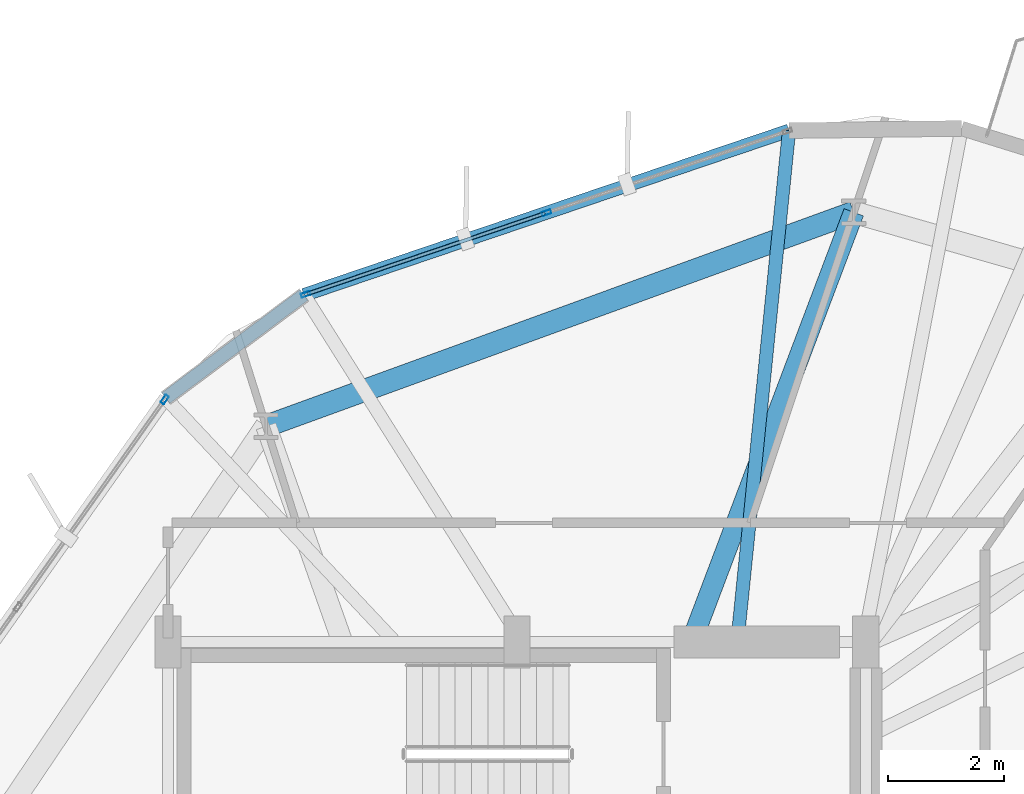
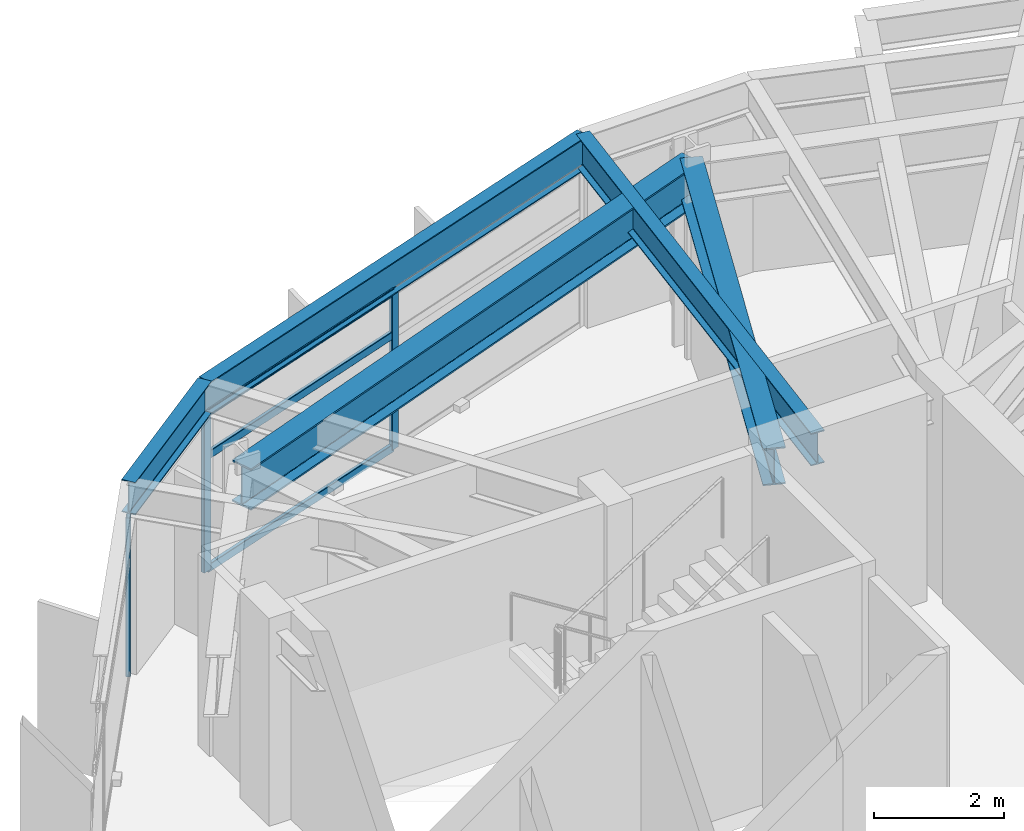
# One storey, part 15 of 25: 6 members, 5 beams, 2 elements without a shape of their own.
"""IFC4 building model written with IfcOpenShell, lengths in metres."""

import ifcopenshell
import ifcopenshell.guid

model = None  # the IFC model being written
_history = None  # IfcOwnerHistory: only IFC2X3 demands one
_inside = {}  # id of a spatial element -> (the spatial element, [elements in it])
_under = {}  # id of a project, library or spatial element -> (it, [spatial elements below it])
_declared = {}  # id of a project -> (the project, [libraries it declares])
_typed = {}  # id of a type object -> (the type object, [elements of that type])
_made_of = {}  # id of a material, layer set ... -> (it, [elements and type objects made of it])


def new_model(schema):
    """Start an empty IFC model of exactly this schema.

    Asked for "IFC4X3", IfcOpenShell would pick the latest addendum, in which some entities
    have other attributes; the version numbers below select the first issue.
    IFC2X3 requires an IfcOwnerHistory on every rooted entity: one is made here for all.
    """
    global model, _history
    if schema == "IFC4X3":
        model = ifcopenshell.file(schema_version=(4, 3, 0, 0))
    else:
        model = ifcopenshell.file(schema=schema)
    _inside.clear()
    _under.clear()
    _declared.clear()
    _typed.clear()
    _made_of.clear()
    _history = None
    if model.schema == "IFC2X3":
        org = make("IfcOrganization", Name="unknown")
        user = make(
            "IfcPersonAndOrganization",
            ThePerson=make("IfcPerson", FamilyName="unknown"),
            TheOrganization=org,
        )
        app = make(
            "IfcApplication",
            ApplicationDeveloper=org,
            Version="unknown",
            ApplicationFullName="unknown",
            ApplicationIdentifier="unknown",
        )
        _history = make(
            "IfcOwnerHistory",
            OwningUser=user,
            OwningApplication=app,
            ChangeAction="ADDED",
            CreationDate=0,
        )
    return model


def make(cls, **values):
    """One entity of the class cls with the attributes given. An attribute that is None is left unset."""
    return model.create_entity(
        cls, **{name: value for name, value in values.items() if value is not None}
    )


def rooted(cls, **values):
    """An entity with a GlobalId (a new one), such as an element, a storey or a relation."""
    return make(cls, GlobalId=ifcopenshell.guid.new(), OwnerHistory=_history, **values)


def si_unit(unit_type, name, prefix=None):
    """IfcSIUnit, for example si_unit("LENGTHUNIT", "METRE", prefix="MILLI")."""
    return make("IfcSIUnit", UnitType=unit_type, Prefix=prefix, Name=name)


def assignment(units):
    """IfcUnitAssignment: the units of a project."""
    return None if units is None else make("IfcUnitAssignment", Units=units)


def point(xyz):
    """IfcCartesianPoint."""
    return None if xyz is None else make("IfcCartesianPoint", Coordinates=xyz)


def direction(xyz):
    """IfcDirection."""
    return None if xyz is None else make("IfcDirection", DirectionRatios=xyz)


def frame(location, z_axis=None, x_axis=None):
    """IfcAxis2Placement3D, a coordinate frame: its origin and axes. An axis left out is left unset."""
    return make(
        "IfcAxis2Placement3D",
        Location=point(location),
        Axis=direction(z_axis),
        RefDirection=direction(x_axis),
    )


def frame_2d(location, x_axis=None):
    """IfcAxis2Placement2D, a coordinate frame in the plane: its origin and x axis."""
    return make(
        "IfcAxis2Placement2D", Location=point(location), RefDirection=direction(x_axis)
    )


def origin():
    """The frame at (0, 0, 0) with its axes left unset."""
    return frame((0.0, 0.0, 0.0))


def origin_2d():
    """The frame at (0, 0) in the plane with its x axis left unset."""
    return frame_2d((0.0, 0.0))


def place(relative_to, where):
    """IfcLocalPlacement: puts the frame where relative to a parent placement (None: the world)."""
    return make(
        "IfcLocalPlacement", PlacementRelTo=relative_to, RelativePlacement=where
    )


def context(
    kind, dimensions, precision=None, world=None, true_north=None, identifier=None
):
    """IfcGeometricRepresentationContext, for example the 3D "Model" context."""
    return make(
        "IfcGeometricRepresentationContext",
        ContextIdentifier=identifier,
        ContextType=kind,
        CoordinateSpaceDimension=dimensions,
        Precision=precision,
        WorldCoordinateSystem=world,
        TrueNorth=true_north,
    )


def subcontext(parent, identifier, kind, view, scale=None):
    """IfcGeometricRepresentationSubContext, for example "Body" below "Model"."""
    return make(
        "IfcGeometricRepresentationSubContext",
        ContextIdentifier=identifier,
        ContextType=kind,
        ParentContext=parent,
        TargetScale=scale,
        TargetView=view,
    )


def project(units=None, contexts=None):
    """IfcProject with its units and contexts."""
    return rooted(
        "IfcProject",
        Name="project",
        RepresentationContexts=contexts,
        UnitsInContext=assignment(units),
    )


def spatial(cls, under=None, at=None, **own):
    """A site, building, storey or space (cls), placed at a placement, below another one or the project."""
    s = rooted(cls, ObjectPlacement=at, **own)
    if under is not None:
        _under.setdefault(under.id(), (under, []))[1].append(s)
    return s


def profile(cls, at=None, kind="AREA", **sizes):
    """A parametric profile (cls). Its sizes go by their IFC names, for example OverallWidth=200.0."""
    return make(cls, ProfileType=kind, Position=at, **sizes)


def hollow_rectangle(**sizes):
    """IfcRectangleHollowProfileDef."""
    return profile("IfcRectangleHollowProfileDef", **sizes)


def i_section(**sizes):
    """IfcIShapeProfileDef."""
    return profile("IfcIShapeProfileDef", **sizes)


def extrude(swept, where, along, depth):
    """IfcExtrudedAreaSolid: the profile swept, set in the frame where, extruded along a direction by depth."""
    return make(
        "IfcExtrudedAreaSolid",
        SweptArea=swept,
        Position=where,
        ExtrudedDirection=direction(along),
        Depth=depth,
    )


def shape(context_of_items, identifier, shape_type, items):
    """IfcShapeRepresentation: the items that make up one representation, for example the "Body"."""
    return make(
        "IfcShapeRepresentation",
        ContextOfItems=context_of_items,
        RepresentationIdentifier=identifier,
        RepresentationType=shape_type,
        Items=items,
    )


def material(Name=None, Category=None):
    """IfcMaterial."""
    return make("IfcMaterial", Name=Name, Category=Category)


def layer(
    of_material, thickness, ventilated=None, Name=None, Category=None, Priority=None
):
    """IfcMaterialLayer: one layer of a wall or slab, of a material (None: an air gap)."""
    return make(
        "IfcMaterialLayer",
        Material=of_material,
        LayerThickness=thickness,
        IsVentilated=ventilated,
        Name=Name,
        Category=Category,
        Priority=Priority,
    )


def layer_set(layers, Name=None):
    """IfcMaterialLayerSet."""
    return make("IfcMaterialLayerSet", MaterialLayers=layers, LayerSetName=Name)


def material_profile(
    of_material, cross_section, Name=None, Category=None, Priority=None
):
    """IfcMaterialProfile: a cross section and its material."""
    return make(
        "IfcMaterialProfile",
        Name=Name,
        Material=of_material,
        Profile=cross_section,
        Priority=Priority,
        Category=Category,
    )


def profile_set(profiles, Name=None, composite=None):
    """IfcMaterialProfileSet."""
    return make(
        "IfcMaterialProfileSet",
        Name=Name,
        MaterialProfiles=profiles,
        CompositeProfile=composite,
    )


def made_of(thing, what):
    """Note that an element or type object is made of a material, layer set ...; save() writes the relation."""
    if what is not None:
        _made_of.setdefault(what.id(), (what, []))[1].append(thing)
    return thing


def type_object(cls, material=None, **own):
    """A type object (cls), such as IfcWallType, which elements share."""
    return made_of(rooted(cls, **own), material)


def element(
    cls,
    number,
    at=None,
    inside=None,
    cuts=None,
    type_object=None,
    material=None,
    context=None,
    identifier="Body",
    shape_type=None,
    held_by="IfcProductDefinitionShape",
    body=None,
    shapes=None,
    **own,
):
    """One element of the class cls, such as IfcWall. Its Tag is "e" and its number.

    at: its placement. inside: the storey or other place that contains it. cuts: it is an
    opening in that element (IfcRelVoidsElement). A single representation is given by context,
    identifier, shape_type and body (its items); several are given by shapes. held_by: the class
    of the entity that holds the representations. save() writes the other relations.
    """
    e = rooted(cls, Tag="e%d" % number, ObjectPlacement=at, **own)
    if body is not None:
        shapes = [shape(context, identifier, shape_type, body)]
    if shapes is not None:
        e.Representation = make(held_by, Representations=shapes)
    if inside is not None:
        _inside.setdefault(inside.id(), (inside, []))[1].append(e)
    if cuts is not None:
        rooted(
            "IfcRelVoidsElement", RelatingBuildingElement=cuts, RelatedOpeningElement=e
        )
    if type_object is not None:
        _typed.setdefault(type_object.id(), (type_object, []))[1].append(e)
    return made_of(e, material)


def aggregate(whole, parts):
    """IfcRelAggregates: a whole, such as a stair, and the parts it consists of."""
    return rooted("IfcRelAggregates", RelatingObject=whole, RelatedObjects=parts)


def save(model, path):
    """Write the relations noted so far, then the file.

    IfcRelAggregates (storeys below a building ...), IfcRelContainedInSpatialStructure (elements
    in a storey), IfcRelDefinesByType, IfcRelAssociatesMaterial and IfcRelDeclares: one each for
    every whole, place, type object, material and project.
    """
    for whole, parts in _under.values():
        aggregate(whole, parts)
    for where, things in _inside.values():
        rooted(
            "IfcRelContainedInSpatialStructure",
            RelatedElements=things,
            RelatingStructure=where,
        )
    for kind, things in _typed.values():
        rooted("IfcRelDefinesByType", RelatedObjects=things, RelatingType=kind)
    for what, things in _made_of.values():
        rooted("IfcRelAssociatesMaterial", RelatedObjects=things, RelatingMaterial=what)
    for by, libraries in _declared.values():
        rooted("IfcRelDeclares", RelatingContext=by, RelatedDefinitions=libraries)
    model.write(path)


model = new_model("IFC4")

# Units and contexts
model_context = context("Model", 3, precision=1e-05, world=origin(), true_north=direction((0.0, 1.0)))
body_context = subcontext(model_context, "Body", "Model", "MODEL_VIEW")
ifc_project = project(units=[si_unit("LENGTHUNIT", "METRE"), si_unit("AREAUNIT", "SQUARE_METRE"), si_unit("VOLUMEUNIT", "CUBIC_METRE"), si_unit("PLANEANGLEUNIT", "RADIAN"), si_unit("MASSUNIT", "GRAM", prefix="KILO")], contexts=[model_context])

# Site, building, storey
site_placement = place(None, origin())
site = spatial("IfcSite", under=ifc_project, at=site_placement, CompositionType="ELEMENT")
building_placement = place(site_placement, origin())
building = spatial("IfcBuilding", under=site, at=building_placement, Name="Soratama Intermodal Tower", CompositionType="ELEMENT")
storey_placement = place(building_placement, frame((0.0, 0.0, 106.89990234375)))
storey = spatial("IfcBuildingStorey", under=building, at=storey_placement, Name="L25", CompositionType="ELEMENT", Elevation=106.89990234375)

# Beams
ifc_material_1 = material(Name="Structural steel ASTM A992 Grade 50", Category="steel")
ifc_material_profile_1 = material_profile(ifc_material_1, i_section(OverallWidth=0.35498046875, OverallDepth=0.695068359375, WebThickness=0.015380859375, FlangeThickness=0.02490234375, FilletRadius=0.01611328125, at=origin_2d()), Name="W27X146")
ifc_profile_set_1 = profile_set([ifc_material_profile_1], Name="Structural steel ASTM A992 Grade 50")
beam_type_1 = type_object("IfcBeamType", Name="BM-RING-W27X146", PredefinedType="BEAM", material=ifc_profile_set_1)
beam_1_placement = place(storey_placement, frame((41.60009765625, 35.0, 3.252685546875), z_axis=(0.353577871145, 0.935405093549, 0.0), x_axis=(-0.935405093549, 0.353577871145, 0.0)))
element("IfcBeam", 1, at=beam_1_placement, inside=storey, type_object=beam_type_1, Name="BM-L25-RAD-03", PredefinedType="BEAM", context=body_context, shape_type="SweptSolid", body=[
    extrude(i_section(OverallWidth=0.35498046875, OverallDepth=0.695068359375, WebThickness=0.015380859375, FlangeThickness=0.02490234375, FilletRadius=0.01611328125, at=origin_2d()), origin(), (0.0, 0.0, 1.0), 7.899169921875),
])
ifc_material_2 = material(Name="Structural steel ASTM A992 Grade 50", Category="steel")
ifc_material_profile_2 = material_profile(ifc_material_2, i_section(OverallWidth=0.382080078125, OverallDepth=0.779052734375, WebThickness=0.01806640625, FlangeThickness=0.030029296875, FilletRadius=0.01806640625, at=origin_2d()), Name="W30X191")
ifc_profile_set_2 = profile_set([ifc_material_profile_2], Name="Structural steel ASTM A992 Grade 50")
beam_type_2 = type_object("IfcBeamType", Name="BM-RING-W30X191", PredefinedType="BEAM", material=ifc_profile_set_2)
beam_2_placement = place(storey_placement, frame((44.39306640625, 42.388916015625, 3.210693359375), z_axis=(-0.939690636038, -0.342025596326, 0.0), x_axis=(0.342025596326, -0.939690636038, 0.0)))
element("IfcBeam", 2, at=beam_2_placement, inside=storey, type_object=beam_type_2, Name="BM-L25-RING-03", PredefinedType="BEAM", context=body_context, shape_type="SweptSolid", body=[
    extrude(i_section(OverallWidth=0.382080078125, OverallDepth=0.779052734375, WebThickness=0.01806640625, FlangeThickness=0.030029296875, FilletRadius=0.01806640625, at=origin_2d()), origin(), (0.0, 0.0, 1.0), 10.75341796875),
])
ifc_material_3 = material(Name="Structural steel ASTM A992 Grade 50", Category="steel")
ifc_material_profile_3 = material_profile(ifc_material_3, i_section(OverallWidth=0.22900390625, OverallDepth=0.612060546875, WebThickness=0.011962890625, FlangeThickness=0.01953125, FilletRadius=0.012939453125, at=origin_2d()), Name="W24X84")
ifc_profile_set_3 = profile_set([ifc_material_profile_3], Name="Structural steel ASTM A992 Grade 50")
beam_type_3 = type_object("IfcBeamType", Name="BM-SPN-W24X84", PredefinedType="SPANDREL", material=ifc_profile_set_3)
beam_3_placement = place(storey_placement, frame((43.280029296875, 43.7939453125, 3.294189453125), z_axis=(-0.947108019287, -0.320914941695, 0.0), x_axis=(0.320914941695, -0.947108019287, 0.0)))
element("IfcBeam", 3, at=beam_3_placement, inside=storey, type_object=beam_type_3, Name="BS-L25-F03", PredefinedType="SPANDREL", context=body_context, shape_type="SweptSolid", body=[
    extrude(i_section(OverallWidth=0.22900390625, OverallDepth=0.612060546875, WebThickness=0.011962890625, FlangeThickness=0.01953125, FilletRadius=0.012939453125, at=origin_2d()), origin(), (0.0, 0.0, 1.0), 8.805908203125),
])
beam_4_placement = place(storey_placement, frame((34.93994140625, 40.968017578125, 3.294189453125), z_axis=(-0.801537895855, -0.597943978571, 0.0), x_axis=(0.597943978571, -0.801537895855, 0.0)))
element("IfcBeam", 4, at=beam_4_placement, inside=storey, type_object=beam_type_3, Name="BS-L25-CRN03", PredefinedType="SPANDREL", context=body_context, shape_type="SweptSolid", body=[
    extrude(i_section(OverallWidth=0.22900390625, OverallDepth=0.612060546875, WebThickness=0.011962890625, FlangeThickness=0.01953125, FilletRadius=0.012939453125, at=origin_2d()), origin(), (0.0, 0.0, 1.0), 2.966796875),
])
ifc_material_4 = material(Name="Structural steel ASTM A992 Grade 50", Category="steel")
ifc_material_profile_4 = material_profile(ifc_material_4, i_section(OverallWidth=0.22900390625, OverallDepth=0.612060546875, WebThickness=0.011962890625, FlangeThickness=0.01953125, FilletRadius=0.012939453125, at=origin_2d()), Name="W24X84")
ifc_profile_set_4 = profile_set([ifc_material_profile_4], Name="Structural steel ASTM A992 Grade 50")
beam_type_4 = type_object("IfcBeamType", Name="BM-TIE-W24X84", PredefinedType="BEAM", material=ifc_profile_set_4)
beam_5_placement = place(storey_placement, frame((42.39501953125, 35.0400390625, 3.294189453125), z_axis=(0.100586102601, 0.994928357201, 0.0), x_axis=(-0.994928357201, 0.100586102601, 0.0)))
element("IfcBeam", 5, at=beam_5_placement, inside=storey, type_object=beam_type_4, Name="BM-L25-TIE0-03", PredefinedType="BEAM", context=body_context, shape_type="SweptSolid", body=[
    extrude(i_section(OverallWidth=0.22900390625, OverallDepth=0.612060546875, WebThickness=0.011962890625, FlangeThickness=0.01953125, FilletRadius=0.012939453125, at=origin_2d()), origin(), (0.0, 0.0, 1.0), 8.798583984375),
])

# Curtain wall, members
ifc_material_5 = material(Name="Double-glazed aluminium curtain wall", Category="aluminium")
ifc_layer = layer(ifc_material_5, 0.159912109375)
ifc_layer_set = layer_set([ifc_layer], Name="Double-glazed aluminium curtain wall")
curtain_wall_type = type_object("IfcCurtainWallType", Name="CW-SYS-3", PredefinedType="NOTDEFINED", material=ifc_layer_set)
curtain_wall_1_placement = place(storey_placement, origin())
curtain_wall_1 = element("IfcCurtainWall", 6, at=curtain_wall_1_placement, inside=storey, type_object=curtain_wall_type, Name="L25 Faceted Curtain Wall F03", PredefinedType="NOTDEFINED")
ifc_material_6 = material(Name="Anodised aluminium AA 6063-T6", Category="aluminium")
ifc_material_profile_5 = material_profile(ifc_material_6, hollow_rectangle(XDim=0.070068359375, YDim=0.159912109375, WallThickness=0.0048828125, InnerFilletRadius=0.0048828125, OuterFilletRadius=0.010009765625, at=origin_2d()), Name="CWM160X70X5")
ifc_profile_set_5 = profile_set([ifc_material_profile_5], Name="Anodised aluminium AA 6063-T6")
member_type_1 = type_object("IfcMemberType", Name="MT-CWM-3", PredefinedType="MULLION", material=ifc_profile_set_5)
member_1_placement = place(storey_placement, frame((39.110107421875, 42.381103515625, 0.0), z_axis=(0.0, 0.0, 1.0), x_axis=(0.320945371109, -0.94709770814, 0.0)))
member_1 = element("IfcMember", 7, at=member_1_placement, type_object=member_type_1, Name="CW-3 mullion 2", PredefinedType="MULLION", context=body_context, shape_type="SweptSolid", body=[
    extrude(hollow_rectangle(XDim=0.070068359375, YDim=0.159912109375, WallThickness=0.0048828125, InnerFilletRadius=0.0048828125, OuterFilletRadius=0.010009765625, at=origin_2d()), origin(), (0.0, 0.0, 1.0), 2.97900390625),
])
member_2_placement = place(storey_placement, frame((34.96826171875, 40.9775390625, 0.0), z_axis=(0.0, 0.0, 1.0), x_axis=(0.320945371109, -0.94709770814, 0.0)))
member_2 = element("IfcMember", 8, at=member_2_placement, type_object=member_type_1, Name="CW-3 mullion 3", PredefinedType="MULLION", context=body_context, shape_type="SweptSolid", body=[
    extrude(hollow_rectangle(XDim=0.070068359375, YDim=0.159912109375, WallThickness=0.0048828125, InnerFilletRadius=0.0048828125, OuterFilletRadius=0.010009765625, at=origin_2d()), origin(), (0.0, 0.0, 1.0), 2.97900390625),
])

# Curtain wall, member
curtain_wall_2_placement = place(storey_placement, origin())
curtain_wall_2 = element("IfcCurtainWall", 9, at=curtain_wall_2_placement, inside=storey, type_object=curtain_wall_type, Name="L25 Faceted Curtain Wall F04", PredefinedType="NOTDEFINED")
member_3_placement = place(storey_placement, frame((32.544677734375, 39.169677734375, 0.0), z_axis=(0.0, 0.0, 1.0), x_axis=(0.816333893981, -0.57758027454, 0.0)))
member_3 = element("IfcMember", 10, at=member_3_placement, type_object=member_type_1, Name="CW-3 mullion 1", PredefinedType="MULLION", context=body_context, shape_type="SweptSolid", body=[
    extrude(hollow_rectangle(XDim=0.070068359375, YDim=0.159912109375, WallThickness=0.0048828125, InnerFilletRadius=0.0048828125, OuterFilletRadius=0.010009765625, at=origin_2d()), origin(), (0.0, 0.0, 1.0), 2.97900390625),
])
aggregate(curtain_wall_2, [member_3])

# Member
ifc_material_7 = material(Name="Anodised aluminium AA 6063-T6", Category="aluminium")
ifc_material_profile_6 = material_profile(ifc_material_7, hollow_rectangle(XDim=0.06494140625, YDim=0.14990234375, WallThickness=0.0048828125, InnerFilletRadius=0.0048828125, OuterFilletRadius=0.010009765625, at=origin_2d()), Name="CWT150X65X5")
ifc_profile_set_6 = profile_set([ifc_material_profile_6], Name="Anodised aluminium AA 6063-T6")
member_type_2 = type_object("IfcMemberType", Name="TT-CWT-1", PredefinedType="USERDEFINED", material=ifc_profile_set_6)
member_4_placement = place(storey_placement, frame((39.081787109375, 42.371337890625, 0.030029296875), z_axis=(-0.947103791512, -0.320927418746, 0.0), x_axis=(0.320927418746, -0.947103791512, 0.0)))
member_4 = element("IfcMember", 11, at=member_4_placement, type_object=member_type_2, Name="CW-3 transom 2.1", ObjectType="TRANSOM", PredefinedType="USERDEFINED", context=body_context, shape_type="SweptSolid", body=[
    extrude(hollow_rectangle(XDim=0.06494140625, YDim=0.14990234375, WallThickness=0.0048828125, InnerFilletRadius=0.0048828125, OuterFilletRadius=0.010009765625, at=origin_2d()), origin(), (0.0, 0.0, 1.0), 4.3134765625),
])

member_5_placement = place(storey_placement, frame((39.081787109375, 42.371337890625, 2.150146484375), z_axis=(-0.947103791512, -0.320927418746, 0.0), x_axis=(0.320927418746, -0.947103791512, 0.0)))
member_5 = element("IfcMember", 12, at=member_5_placement, type_object=member_type_2, Name="CW-3 transom 2.2", ObjectType="TRANSOM", PredefinedType="USERDEFINED", context=body_context, shape_type="SweptSolid", body=[
    extrude(hollow_rectangle(XDim=0.06494140625, YDim=0.14990234375, WallThickness=0.0048828125, InnerFilletRadius=0.0048828125, OuterFilletRadius=0.010009765625, at=origin_2d()), origin(), (0.0, 0.0, 1.0), 4.3134765625),
])

member_6_placement = place(storey_placement, frame((39.081787109375, 42.371337890625, 2.94921875), z_axis=(-0.947103791512, -0.320927418746, 0.0), x_axis=(0.320927418746, -0.947103791512, 0.0)))
member_6 = element("IfcMember", 13, at=member_6_placement, type_object=member_type_2, Name="CW-3 transom 2.3", ObjectType="TRANSOM", PredefinedType="USERDEFINED", context=body_context, shape_type="SweptSolid", body=[
    extrude(hollow_rectangle(XDim=0.06494140625, YDim=0.14990234375, WallThickness=0.0048828125, InnerFilletRadius=0.0048828125, OuterFilletRadius=0.010009765625, at=origin_2d()), origin(), (0.0, 0.0, 1.0), 4.3134765625),
])

aggregate(curtain_wall_1, [member_1, member_2, member_4, member_5, member_6])

save(model, "model.ifc")
